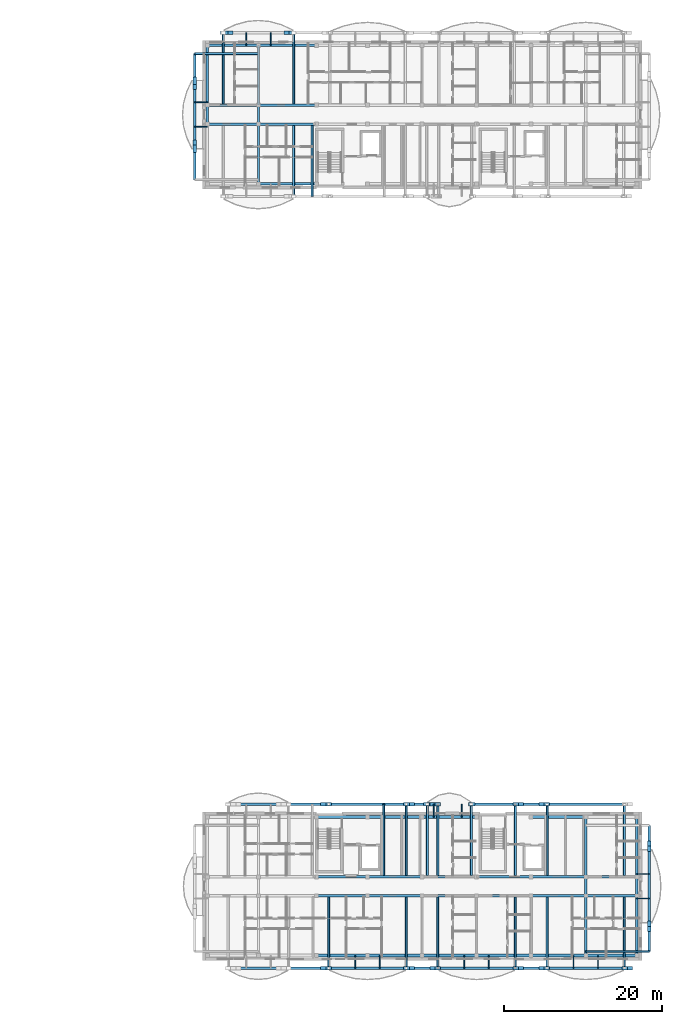
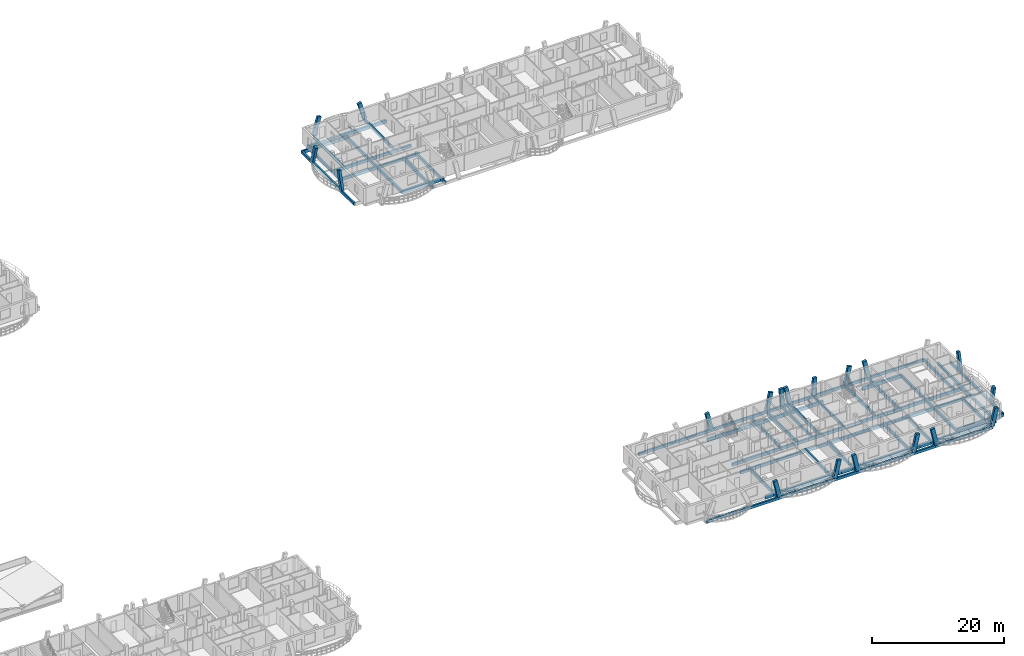
# One storey, part 7 of 50: 78 beams, 19 members.
"""IFC4 building model written with IfcOpenShell, lengths in metres."""

from ifc_helpers import new_model, si_unit, direction, frame, origin, origin_2d, place, context, subcontext, project, spatial, rectangle, i_section, extrude, material, material_profile, profile_set, type_object, element, save


model = new_model("IFC4")

# Units and contexts
model_context = context("Model", 3, precision=1e-05, world=origin(), true_north=direction((0.0, 1.0)))
body_context = subcontext(model_context, "Body", "Model", "MODEL_VIEW")
ifc_project = project(units=[si_unit("LENGTHUNIT", "METRE"), si_unit("AREAUNIT", "SQUARE_METRE"), si_unit("VOLUMEUNIT", "CUBIC_METRE"), si_unit("PLANEANGLEUNIT", "RADIAN"), si_unit("MASSUNIT", "GRAM", prefix="KILO")], contexts=[model_context])

# Site, building, storey
site_placement = place(None, origin())
site = spatial("IfcSite", under=ifc_project, at=site_placement, CompositionType="ELEMENT")
building_placement = place(site_placement, origin())
building = spatial("IfcBuilding", under=site, at=building_placement, Name="Zavelmont Quarter", CompositionType="ELEMENT")
storey_placement = place(building_placement, frame((0.0, 0.0, 11.199951171875)))
storey = spatial("IfcBuildingStorey", under=building, at=storey_placement, Name="L03", CompositionType="ELEMENT", Elevation=11.199951171875)

# Beams
ifc_material_1 = material(Name="Concrete C35/45", Category="concrete")
ifc_material_profile_1 = material_profile(ifc_material_1, rectangle(XDim=0.35009765625, YDim=0.60009765625, at=origin_2d()), Name="RC350X600")
ifc_profile_set_1 = profile_set([ifc_material_profile_1], Name="Concrete C35/45")
beam_type_1 = type_object("IfcBeamType", Name="BM01", PredefinedType="SPANDREL", material=ifc_profile_set_1)
beam_1_placement = place(storey_placement, frame((119.699951171875, 98.0400390625, -0.56005859375), z_axis=(1.0, 0.0, 0.0), x_axis=(0.0, 1.0, 0.0)))
element("IfcBeam", 1, at=beam_1_placement, inside=storey, type_object=beam_type_1, Name="L03 beam BM01 18/P to 19/P", PredefinedType="SPANDREL", context=body_context, shape_type="SweptSolid", body=[
    extrude(rectangle(XDim=0.35009765625, YDim=0.60009765625, at=origin_2d()), origin(), (0.0, 0.0, 1.0), 7.340087890625),
])
beam_2_placement = place(storey_placement, frame((113.239990234375, 115.56005859375, -0.56005859375), z_axis=(1.0, 0.0, 0.0), x_axis=(0.0, 1.0, 0.0)))
element("IfcBeam", 2, at=beam_2_placement, inside=storey, type_object=beam_type_1, Name="L03 beam BM01 17/S to 18/S", PredefinedType="SPANDREL", context=body_context, shape_type="SweptSolid", body=[
    extrude(rectangle(XDim=0.35009765625, YDim=0.60009765625, at=origin_2d()), origin(), (0.0, 0.0, 1.0), 6.4599609375),
])
beam_3_placement = place(storey_placement, frame((119.699951171875, 115.56005859375, -0.56005859375), z_axis=(1.0, 0.0, 0.0), x_axis=(0.0, 1.0, 0.0)))
element("IfcBeam", 3, at=beam_3_placement, inside=storey, type_object=beam_type_1, Name="L03 beam BM01 18/S to 19/S", PredefinedType="SPANDREL", context=body_context, shape_type="SweptSolid", body=[
    extrude(rectangle(XDim=0.35009765625, YDim=0.60009765625, at=origin_2d()), origin(), (0.0, 0.0, 1.0), 7.340087890625),
])
beam_4_placement = place(storey_placement, frame((127.0400390625, 0.43994140625, -0.56005859375), z_axis=(1.0, 0.0, 0.0), x_axis=(0.0, 1.0, 0.0)))
element("IfcBeam", 4, at=beam_4_placement, inside=storey, type_object=beam_type_1, Name="L03 beam BM01 19/A to 20/A", PredefinedType="SPANDREL", context=body_context, shape_type="SweptSolid", body=[
    extrude(rectangle(XDim=0.35009765625, YDim=0.60009765625, at=origin_2d()), origin(), (0.0, 0.0, 1.0), 6.4599609375),
])
beam_5_placement = place(storey_placement, frame((133.5, 0.43994140625, -0.56005859375), z_axis=(1.0, 0.0, 0.0), x_axis=(0.0, 1.0, 0.0)))
element("IfcBeam", 5, at=beam_5_placement, inside=storey, type_object=beam_type_1, Name="L03 beam BM01 20/A to 21/A", PredefinedType="SPANDREL", context=body_context, shape_type="SweptSolid", body=[
    extrude(rectangle(XDim=0.35009765625, YDim=0.60009765625, at=origin_2d()), origin(), (0.0, 0.0, 1.0), 6.89990234375),
])
beam_6_placement = place(storey_placement, frame((140.39990234375, 0.43994140625, -0.56005859375), z_axis=(1.0, 0.0, 0.0), x_axis=(0.0, 1.0, 0.0)))
element("IfcBeam", 6, at=beam_6_placement, inside=storey, type_object=beam_type_1, Name="L03 beam BM01 21/A to 22/A", PredefinedType="SPANDREL", context=body_context, shape_type="SweptSolid", body=[
    extrude(rectangle(XDim=0.35009765625, YDim=0.60009765625, at=origin_2d()), origin(), (0.0, 0.0, 1.0), 6.900146484375),
])
beam_7_placement = place(storey_placement, frame((147.300048828125, 0.43994140625, -0.56005859375), z_axis=(1.0, 0.0, 0.0), x_axis=(0.0, 1.0, 0.0)))
element("IfcBeam", 7, at=beam_7_placement, inside=storey, type_object=beam_type_1, Name="L03 beam BM01 22/A to 23/A", PredefinedType="SPANDREL", context=body_context, shape_type="SweptSolid", body=[
    extrude(rectangle(XDim=0.35009765625, YDim=0.60009765625, at=origin_2d()), origin(), (0.0, 0.0, 1.0), 6.89990234375),
])
beam_8_placement = place(storey_placement, frame((154.199951171875, 0.43994140625, -0.56005859375), z_axis=(1.0, 0.0, 0.0), x_axis=(0.0, 1.0, 0.0)))
element("IfcBeam", 8, at=beam_8_placement, inside=storey, type_object=beam_type_1, Name="L03 beam BM01 23/A to 24/A", PredefinedType="SPANDREL", context=body_context, shape_type="SweptSolid", body=[
    extrude(rectangle(XDim=0.35009765625, YDim=0.60009765625, at=origin_2d()), origin(), (0.0, 0.0, 1.0), 6.900146484375),
])
for number, where, z_axis, x_axis, name in (
    (9, (161.10009765625, 0.43994140625, -0.56005859375), (1.0, 0.0, 0.0), (0.0, 1.0, 0.0), "L03 beam BM01 24/A to 25/A"),
    (10, (127.0400390625, 17.9599609375, -0.56005859375), (1.0, 0.0, 0.0), (0.0, 1.0, 0.0), "L03 beam BM01 19/D to 20/D"),
):
    element("IfcBeam", number, at=place(storey_placement, frame(where, z_axis=z_axis, x_axis=x_axis)), inside=storey, type_object=beam_type_1, Name=name, PredefinedType="SPANDREL", context=body_context, shape_type="SweptSolid", body=[
        extrude(rectangle(XDim=0.35009765625, YDim=0.60009765625, at=origin_2d()), origin(), (0.0, 0.0, 1.0), 6.4599609375),
    ])
beam_9_placement = place(storey_placement, frame((133.5, 17.9599609375, -0.56005859375), z_axis=(1.0, 0.0, 0.0), x_axis=(0.0, 1.0, 0.0)))
element("IfcBeam", 11, at=beam_9_placement, inside=storey, type_object=beam_type_1, Name="L03 beam BM01 20/D to 21/D", PredefinedType="SPANDREL", context=body_context, shape_type="SweptSolid", body=[
    extrude(rectangle(XDim=0.35009765625, YDim=0.60009765625, at=origin_2d()), origin(), (0.0, 0.0, 1.0), 6.89990234375),
])
for number, where, z_axis, x_axis, name in (
    (12, (140.39990234375, 17.9599609375, -0.56005859375), (1.0, 0.0, 0.0), (0.0, 1.0, 0.0), "L03 beam BM01 21/D to 22/D"),
    (13, (154.199951171875, 17.9599609375, -0.56005859375), (1.0, 0.0, 0.0), (0.0, 1.0, 0.0), "L03 beam BM01 23/D to 24/D"),
):
    element("IfcBeam", number, at=place(storey_placement, frame(where, z_axis=z_axis, x_axis=x_axis)), inside=storey, type_object=beam_type_1, Name=name, PredefinedType="SPANDREL", context=body_context, shape_type="SweptSolid", body=[
        extrude(rectangle(XDim=0.35009765625, YDim=0.60009765625, at=origin_2d()), origin(), (0.0, 0.0, 1.0), 6.900146484375),
    ])
ifc_material_profile_2 = material_profile(ifc_material_1, rectangle(XDim=0.300048828125, YDim=0.550048828125, at=origin_2d()), Name="RC300X550")
ifc_profile_set_2 = profile_set([ifc_material_profile_2], Name="Concrete C35/45")
beam_type_2 = type_object("IfcBeamType", Name="BM02", PredefinedType="SPANDREL", material=ifc_profile_set_2)
beam_10_placement = place(storey_placement, frame((113.239990234375, 105.60009765625, -0.534912109375), z_axis=(1.0, 0.0, 0.0), x_axis=(0.0, 1.0, 0.0)))
element("IfcBeam", 14, at=beam_10_placement, inside=storey, type_object=beam_type_2, Name="L03 beam BM02 17/Q to 18/Q", PredefinedType="SPANDREL", context=body_context, shape_type="SweptSolid", body=[
    extrude(rectangle(XDim=0.300048828125, YDim=0.550048828125, at=origin_2d()), origin(), (0.0, 0.0, 1.0), 6.4599609375),
])
beam_11_placement = place(storey_placement, frame((119.699951171875, 105.60009765625, -0.534912109375), z_axis=(1.0, 0.0, 0.0), x_axis=(0.0, 1.0, 0.0)))
element("IfcBeam", 15, at=beam_11_placement, inside=storey, type_object=beam_type_2, Name="L03 beam BM02 18/Q to 19/Q", PredefinedType="SPANDREL", context=body_context, shape_type="SweptSolid", body=[
    extrude(rectangle(XDim=0.300048828125, YDim=0.550048828125, at=origin_2d()), origin(), (0.0, 0.0, 1.0), 7.340087890625),
])
beam_12_placement = place(storey_placement, frame((113.239990234375, 108.0, -0.534912109375), z_axis=(1.0, 0.0, 0.0), x_axis=(0.0, 1.0, 0.0)))
element("IfcBeam", 16, at=beam_12_placement, inside=storey, type_object=beam_type_2, Name="L03 beam BM02 17/R to 18/R", PredefinedType="SPANDREL", context=body_context, shape_type="SweptSolid", body=[
    extrude(rectangle(XDim=0.300048828125, YDim=0.550048828125, at=origin_2d()), origin(), (0.0, 0.0, 1.0), 6.4599609375),
])
beam_13_placement = place(storey_placement, frame((119.699951171875, 108.0, -0.534912109375), z_axis=(1.0, 0.0, 0.0), x_axis=(0.0, 1.0, 0.0)))
element("IfcBeam", 17, at=beam_13_placement, inside=storey, type_object=beam_type_2, Name="L03 beam BM02 18/R to 19/R", PredefinedType="SPANDREL", context=body_context, shape_type="SweptSolid", body=[
    extrude(rectangle(XDim=0.300048828125, YDim=0.550048828125, at=origin_2d()), origin(), (0.0, 0.0, 1.0), 7.340087890625),
])
beam_14_placement = place(storey_placement, frame((113.239990234375, 105.60009765625, -0.534912109375), z_axis=(0.0, 1.0, 0.0), x_axis=(-1.0, 0.0, 0.0)))
element("IfcBeam", 18, at=beam_14_placement, inside=storey, type_object=beam_type_2, Name="L03 beam BM02 17/Q to 17/R", PredefinedType="SPANDREL", context=body_context, shape_type="SweptSolid", body=[
    extrude(rectangle(XDim=0.300048828125, YDim=0.550048828125, at=origin_2d()), origin(), (0.0, 0.0, 1.0), 2.39990234375),
])
for number, where, z_axis, x_axis, name in (
    (19, (113.239990234375, 108.0, -0.534912109375), (0.0, 1.0, 0.0), (-1.0, 0.0, 0.0), "L03 beam BM02 17/R to 17/S"),
    (20, (119.699951171875, 98.0400390625, -0.534912109375), (0.0, 1.0, 0.0), (-1.0, 0.0, 0.0), "L03 beam BM02 18/P to 18/Q"),
):
    element("IfcBeam", number, at=place(storey_placement, frame(where, z_axis=z_axis, x_axis=x_axis)), inside=storey, type_object=beam_type_2, Name=name, PredefinedType="SPANDREL", context=body_context, shape_type="SweptSolid", body=[
        extrude(rectangle(XDim=0.300048828125, YDim=0.550048828125, at=origin_2d()), origin(), (0.0, 0.0, 1.0), 7.56005859375),
    ])
beam_15_placement = place(storey_placement, frame((119.699951171875, 105.60009765625, -0.534912109375), z_axis=(0.0, 1.0, 0.0), x_axis=(-1.0, 0.0, 0.0)))
element("IfcBeam", 21, at=beam_15_placement, inside=storey, type_object=beam_type_2, Name="L03 beam BM02 18/Q to 18/R", PredefinedType="SPANDREL", context=body_context, shape_type="SweptSolid", body=[
    extrude(rectangle(XDim=0.300048828125, YDim=0.550048828125, at=origin_2d()), origin(), (0.0, 0.0, 1.0), 2.39990234375),
])
beam_16_placement = place(storey_placement, frame((119.699951171875, 108.0, -0.534912109375), z_axis=(0.0, 1.0, 0.0), x_axis=(-1.0, 0.0, 0.0)))
element("IfcBeam", 22, at=beam_16_placement, inside=storey, type_object=beam_type_2, Name="L03 beam BM02 18/R to 18/S", PredefinedType="SPANDREL", context=body_context, shape_type="SweptSolid", body=[
    extrude(rectangle(XDim=0.300048828125, YDim=0.550048828125, at=origin_2d()), origin(), (0.0, 0.0, 1.0), 7.56005859375),
])
beam_17_placement = place(storey_placement, frame((127.0400390625, 8.0, -0.534912109375), z_axis=(1.0, 0.0, 0.0), x_axis=(0.0, 1.0, 0.0)))
element("IfcBeam", 23, at=beam_17_placement, inside=storey, type_object=beam_type_2, Name="L03 beam BM02 19/B to 20/B", PredefinedType="SPANDREL", context=body_context, shape_type="SweptSolid", body=[
    extrude(rectangle(XDim=0.300048828125, YDim=0.550048828125, at=origin_2d()), origin(), (0.0, 0.0, 1.0), 6.4599609375),
])
beam_18_placement = place(storey_placement, frame((133.5, 8.0, -0.534912109375), z_axis=(1.0, 0.0, 0.0), x_axis=(0.0, 1.0, 0.0)))
element("IfcBeam", 24, at=beam_18_placement, inside=storey, type_object=beam_type_2, Name="L03 beam BM02 20/B to 21/B", PredefinedType="SPANDREL", context=body_context, shape_type="SweptSolid", body=[
    extrude(rectangle(XDim=0.300048828125, YDim=0.550048828125, at=origin_2d()), origin(), (0.0, 0.0, 1.0), 6.89990234375),
])
beam_19_placement = place(storey_placement, frame((140.39990234375, 8.0, -0.534912109375), z_axis=(1.0, 0.0, 0.0), x_axis=(0.0, 1.0, 0.0)))
element("IfcBeam", 25, at=beam_19_placement, inside=storey, type_object=beam_type_2, Name="L03 beam BM02 21/B to 22/B", PredefinedType="SPANDREL", context=body_context, shape_type="SweptSolid", body=[
    extrude(rectangle(XDim=0.300048828125, YDim=0.550048828125, at=origin_2d()), origin(), (0.0, 0.0, 1.0), 6.900146484375),
])
beam_20_placement = place(storey_placement, frame((147.300048828125, 8.0, -0.534912109375), z_axis=(1.0, 0.0, 0.0), x_axis=(0.0, 1.0, 0.0)))
element("IfcBeam", 26, at=beam_20_placement, inside=storey, type_object=beam_type_2, Name="L03 beam BM02 22/B to 23/B", PredefinedType="SPANDREL", context=body_context, shape_type="SweptSolid", body=[
    extrude(rectangle(XDim=0.300048828125, YDim=0.550048828125, at=origin_2d()), origin(), (0.0, 0.0, 1.0), 6.89990234375),
])
beam_21_placement = place(storey_placement, frame((154.199951171875, 8.0, -0.534912109375), z_axis=(1.0, 0.0, 0.0), x_axis=(0.0, 1.0, 0.0)))
element("IfcBeam", 27, at=beam_21_placement, inside=storey, type_object=beam_type_2, Name="L03 beam BM02 23/B to 24/B", PredefinedType="SPANDREL", context=body_context, shape_type="SweptSolid", body=[
    extrude(rectangle(XDim=0.300048828125, YDim=0.550048828125, at=origin_2d()), origin(), (0.0, 0.0, 1.0), 6.900146484375),
])
for number, where, z_axis, x_axis, name in (
    (28, (161.10009765625, 8.0, -0.534912109375), (1.0, 0.0, 0.0), (0.0, 1.0, 0.0), "L03 beam BM02 24/B to 25/B"),
    (29, (127.0400390625, 10.39990234375, -0.534912109375), (1.0, 0.0, 0.0), (0.0, 1.0, 0.0), "L03 beam BM02 19/C to 20/C"),
):
    element("IfcBeam", number, at=place(storey_placement, frame(where, z_axis=z_axis, x_axis=x_axis)), inside=storey, type_object=beam_type_2, Name=name, PredefinedType="SPANDREL", context=body_context, shape_type="SweptSolid", body=[
        extrude(rectangle(XDim=0.300048828125, YDim=0.550048828125, at=origin_2d()), origin(), (0.0, 0.0, 1.0), 6.4599609375),
    ])
beam_22_placement = place(storey_placement, frame((133.5, 10.39990234375, -0.534912109375), z_axis=(1.0, 0.0, 0.0), x_axis=(0.0, 1.0, 0.0)))
element("IfcBeam", 30, at=beam_22_placement, inside=storey, type_object=beam_type_2, Name="L03 beam BM02 20/C to 21/C", PredefinedType="SPANDREL", context=body_context, shape_type="SweptSolid", body=[
    extrude(rectangle(XDim=0.300048828125, YDim=0.550048828125, at=origin_2d()), origin(), (0.0, 0.0, 1.0), 6.89990234375),
])
beam_23_placement = place(storey_placement, frame((140.39990234375, 10.39990234375, -0.534912109375), z_axis=(1.0, 0.0, 0.0), x_axis=(0.0, 1.0, 0.0)))
element("IfcBeam", 31, at=beam_23_placement, inside=storey, type_object=beam_type_2, Name="L03 beam BM02 21/C to 22/C", PredefinedType="SPANDREL", context=body_context, shape_type="SweptSolid", body=[
    extrude(rectangle(XDim=0.300048828125, YDim=0.550048828125, at=origin_2d()), origin(), (0.0, 0.0, 1.0), 6.900146484375),
])
beam_24_placement = place(storey_placement, frame((147.300048828125, 10.39990234375, -0.534912109375), z_axis=(1.0, 0.0, 0.0), x_axis=(0.0, 1.0, 0.0)))
element("IfcBeam", 32, at=beam_24_placement, inside=storey, type_object=beam_type_2, Name="L03 beam BM02 22/C to 23/C", PredefinedType="SPANDREL", context=body_context, shape_type="SweptSolid", body=[
    extrude(rectangle(XDim=0.300048828125, YDim=0.550048828125, at=origin_2d()), origin(), (0.0, 0.0, 1.0), 6.89990234375),
])
beam_25_placement = place(storey_placement, frame((154.199951171875, 10.39990234375, -0.534912109375), z_axis=(1.0, 0.0, 0.0), x_axis=(0.0, 1.0, 0.0)))
element("IfcBeam", 33, at=beam_25_placement, inside=storey, type_object=beam_type_2, Name="L03 beam BM02 23/C to 24/C", PredefinedType="SPANDREL", context=body_context, shape_type="SweptSolid", body=[
    extrude(rectangle(XDim=0.300048828125, YDim=0.550048828125, at=origin_2d()), origin(), (0.0, 0.0, 1.0), 6.900146484375),
])
beam_26_placement = place(storey_placement, frame((161.10009765625, 10.39990234375, -0.534912109375), z_axis=(1.0, 0.0, 0.0), x_axis=(0.0, 1.0, 0.0)))
element("IfcBeam", 34, at=beam_26_placement, inside=storey, type_object=beam_type_2, Name="L03 beam BM02 24/C to 25/C", PredefinedType="SPANDREL", context=body_context, shape_type="SweptSolid", body=[
    extrude(rectangle(XDim=0.300048828125, YDim=0.550048828125, at=origin_2d()), origin(), (0.0, 0.0, 1.0), 6.4599609375),
])
beam_27_placement = place(storey_placement, frame((161.10009765625, 0.43994140625, -0.534912109375), z_axis=(0.0, 1.0, 0.0), x_axis=(-1.0, 0.0, 0.0)))
element("IfcBeam", 35, at=beam_27_placement, inside=storey, type_object=beam_type_2, Name="L03 beam BM02 24/A to 24/B", PredefinedType="SPANDREL", context=body_context, shape_type="SweptSolid", body=[
    extrude(rectangle(XDim=0.300048828125, YDim=0.550048828125, at=origin_2d()), origin(), (0.0, 0.0, 1.0), 7.56005859375),
])
beam_28_placement = place(storey_placement, frame((161.10009765625, 8.0, -0.534912109375), z_axis=(0.0, 1.0, 0.0), x_axis=(-1.0, 0.0, 0.0)))
element("IfcBeam", 36, at=beam_28_placement, inside=storey, type_object=beam_type_2, Name="L03 beam BM02 24/B to 24/C", PredefinedType="SPANDREL", context=body_context, shape_type="SweptSolid", body=[
    extrude(rectangle(XDim=0.300048828125, YDim=0.550048828125, at=origin_2d()), origin(), (0.0, 0.0, 1.0), 2.39990234375),
])
for number, where, z_axis, x_axis, name in (
    (37, (161.10009765625, 10.39990234375, -0.534912109375), (0.0, 1.0, 0.0), (-1.0, 0.0, 0.0), "L03 beam BM02 24/C to 24/D"),
    (38, (167.56005859375, 0.43994140625, -0.534912109375), (0.0, 1.0, 0.0), (-1.0, 0.0, 0.0), "L03 beam BM02 25/A to 25/B"),
):
    element("IfcBeam", number, at=place(storey_placement, frame(where, z_axis=z_axis, x_axis=x_axis)), inside=storey, type_object=beam_type_2, Name=name, PredefinedType="SPANDREL", context=body_context, shape_type="SweptSolid", body=[
        extrude(rectangle(XDim=0.300048828125, YDim=0.550048828125, at=origin_2d()), origin(), (0.0, 0.0, 1.0), 7.56005859375),
    ])
beam_29_placement = place(storey_placement, frame((167.56005859375, 8.0, -0.534912109375), z_axis=(0.0, 1.0, 0.0), x_axis=(-1.0, 0.0, 0.0)))
element("IfcBeam", 39, at=beam_29_placement, inside=storey, type_object=beam_type_2, Name="L03 beam BM02 25/B to 25/C", PredefinedType="SPANDREL", context=body_context, shape_type="SweptSolid", body=[
    extrude(rectangle(XDim=0.300048828125, YDim=0.550048828125, at=origin_2d()), origin(), (0.0, 0.0, 1.0), 2.39990234375),
])
beam_30_placement = place(storey_placement, frame((167.56005859375, 10.39990234375, -0.534912109375), z_axis=(0.0, 1.0, 0.0), x_axis=(-1.0, 0.0, 0.0)))
element("IfcBeam", 40, at=beam_30_placement, inside=storey, type_object=beam_type_2, Name="L03 beam BM02 25/C to 25/D", PredefinedType="SPANDREL", context=body_context, shape_type="SweptSolid", body=[
    extrude(rectangle(XDim=0.300048828125, YDim=0.550048828125, at=origin_2d()), origin(), (0.0, 0.0, 1.0), 7.56005859375),
])
ifc_material_profile_3 = material_profile(ifc_material_1, rectangle(XDim=0.300048828125, YDim=0.5, at=origin_2d()), Name="RC300X500")
ifc_profile_set_3 = profile_set([ifc_material_profile_3], Name="Concrete C35/45")
beam_type_3 = type_object("IfcBeamType", Name="BM03", PredefinedType="BEAM", material=ifc_profile_set_3)
beam_31_placement = place(storey_placement, frame((111.64990234375, 98.550048828125, -0.25), z_axis=(0.0, 1.0, 0.0), x_axis=(-1.0, 0.0, 0.0)))
element("IfcBeam", 41, at=beam_31_placement, inside=storey, type_object=beam_type_3, Name="L03 beam BM03 17/P to 17/S", PredefinedType="BEAM", context=body_context, shape_type="SweptSolid", body=[
    extrude(rectangle(XDim=0.300048828125, YDim=0.5, at=origin_2d()), origin(), (0.0, 0.0, 1.0), 15.949951171875),
])
for number, where, z_axis, x_axis, name in (
    (42, (115.864013671875, -1.14990234375, -0.25), (1.0, 0.0, 0.0), (0.0, 1.0, 0.0), "L03 beam BM03 17/A to 25/A"),
    (43, (115.864013671875, 19.550048828125, -0.25), (1.0, 0.0, 0.0), (0.0, 1.0, 0.0), "L03 beam BM03 17/D to 25/D"),
):
    element("IfcBeam", number, at=place(storey_placement, frame(where, z_axis=z_axis, x_axis=x_axis)), inside=storey, type_object=beam_type_3, Name=name, PredefinedType="BEAM", context=body_context, shape_type="SweptSolid", body=[
        extrude(rectangle(XDim=0.300048828125, YDim=0.5, at=origin_2d()), origin(), (0.0, 0.0, 1.0), 50.1279296875),
    ])
beam_32_placement = place(storey_placement, frame((169.14990234375, 0.949951171875, -0.25), z_axis=(0.0, 1.0, 0.0), x_axis=(-1.0, 0.0, 0.0)))
element("IfcBeam", 44, at=beam_32_placement, inside=storey, type_object=beam_type_3, Name="L03 beam BM03 25/A to 25/D", PredefinedType="BEAM", context=body_context, shape_type="SweptSolid", body=[
    extrude(rectangle(XDim=0.300048828125, YDim=0.5, at=origin_2d()), origin(), (0.0, 0.0, 1.0), 15.949951171875),
])
ifc_material_2 = material(Name="Steel S355", Category="steel")
ifc_material_profile_4 = material_profile(ifc_material_2, i_section(OverallWidth=0.110107421875, OverallDepth=0.219970703125, WebThickness=0.005859375, FlangeThickness=0.00927734375, at=origin_2d()), Name="IPE 220")
ifc_profile_set_4 = profile_set([ifc_material_profile_4], Name="Steel S355")
beam_type_4 = type_object("IfcBeamType", Name="BM15", PredefinedType="JOIST", material=ifc_profile_set_4)
for number, where, z_axis, x_axis, name in (
    (45, (118.14990234375, 115.56005859375, -0.3720703125), (0.0, 1.0, 0.0), (-1.0, 0.0, 0.0), "L03 beam BM15 18/S to 18/S"),
    (46, (121.25, 115.56005859375, -0.3720703125), (0.0, 1.0, 0.0), (-1.0, 0.0, 0.0), "L03 beam BM15 18/S to 18/S"),
):
    element("IfcBeam", number, at=place(storey_placement, frame(where, z_axis=z_axis, x_axis=x_axis)), inside=storey, type_object=beam_type_4, Name=name, PredefinedType="JOIST", context=body_context, shape_type="SweptSolid", body=[
        extrude(i_section(OverallWidth=0.110107421875, OverallDepth=0.219970703125, WebThickness=0.005859375, FlangeThickness=0.00927734375, at=origin_2d()), origin(), (0.0, 0.0, 1.0), 1.58984375),
    ])
for number, where, z_axis, x_axis, name in (
    (47, (113.239990234375, 105.25, -0.3720703125), (-1.0, 0.0, 0.0), (0.0, -1.0, 0.0), "L03 beam BM15 17/Q to 17/Q"),
    (48, (113.239990234375, 108.35009765625, -0.3720703125), (-1.0, 0.0, 0.0), (0.0, -1.0, 0.0), "L03 beam BM15 17/R to 17/R"),
):
    element("IfcBeam", number, at=place(storey_placement, frame(where, z_axis=z_axis, x_axis=x_axis)), inside=storey, type_object=beam_type_4, Name=name, PredefinedType="JOIST", context=body_context, shape_type="SweptSolid", body=[
        extrude(i_section(OverallWidth=0.110107421875, OverallDepth=0.219970703125, WebThickness=0.005859375, FlangeThickness=0.00927734375, at=origin_2d()), origin(), (0.0, 0.0, 1.0), 1.590087890625),
    ])
for number, where, z_axis, x_axis, name in (
    (49, (131.949951171875, 0.43994140625, -0.3720703125), (0.0, -1.0, 0.0), (1.0, 0.0, 0.0), "L03 beam BM15 20/A to 20/A"),
    (50, (135.050048828125, 0.43994140625, -0.3720703125), (0.0, -1.0, 0.0), (1.0, 0.0, 0.0), "L03 beam BM15 20/A to 20/A"),
    (51, (145.75, 0.43994140625, -0.3720703125), (0.0, -1.0, 0.0), (1.0, 0.0, 0.0), "L03 beam BM15 22/A to 22/A"),
    (52, (148.85009765625, 0.43994140625, -0.3720703125), (0.0, -1.0, 0.0), (1.0, 0.0, 0.0), "L03 beam BM15 22/A to 22/A"),
    (53, (159.550048828125, 0.43994140625, -0.3720703125), (0.0, -1.0, 0.0), (1.0, 0.0, 0.0), "L03 beam BM15 24/A to 24/A"),
    (54, (162.64990234375, 0.43994140625, -0.3720703125), (0.0, -1.0, 0.0), (1.0, 0.0, 0.0), "L03 beam BM15 24/A to 24/A"),
    (55, (167.56005859375, 7.64990234375, -0.3720703125), (1.0, 0.0, 0.0), (0.0, 1.0, 0.0), "L03 beam BM15 25/B to 25/B"),
    (56, (167.56005859375, 10.75, -0.3720703125), (1.0, 0.0, 0.0), (0.0, 1.0, 0.0), "L03 beam BM15 25/C to 25/C"),
):
    element("IfcBeam", number, at=place(storey_placement, frame(where, z_axis=z_axis, x_axis=x_axis)), inside=storey, type_object=beam_type_4, Name=name, PredefinedType="JOIST", context=body_context, shape_type="SweptSolid", body=[
        extrude(i_section(OverallWidth=0.110107421875, OverallDepth=0.219970703125, WebThickness=0.005859375, FlangeThickness=0.00927734375, at=origin_2d()), origin(), (0.0, 0.0, 1.0), 1.58984375),
    ])
for number, where, z_axis, x_axis, name in (
    (57, (141.8798828125, 17.9599609375, -0.3720703125), (0.0, 1.0, 0.0), (-1.0, 0.0, 0.0), "L03 beam BM15 21/D to 21/D"),
    (58, (145.39990234375, 17.9599609375, -0.3720703125), (0.0, 1.0, 0.0), (-1.0, 0.0, 0.0), "L03 beam BM15 22/D to 22/D"),
):
    element("IfcBeam", number, at=place(storey_placement, frame(where, z_axis=z_axis, x_axis=x_axis)), inside=storey, type_object=beam_type_4, Name=name, PredefinedType="JOIST", context=body_context, shape_type="SweptSolid", body=[
        extrude(i_section(OverallWidth=0.110107421875, OverallDepth=0.219970703125, WebThickness=0.005859375, FlangeThickness=0.00927734375, at=origin_2d()), origin(), (0.0, 0.0, 1.0), 1.590087890625),
    ])
ifc_material_3 = material(Name="Concrete C40/50", Category="concrete")
ifc_material_profile_5 = material_profile(ifc_material_3, rectangle(XDim=0.25, YDim=0.60009765625, at=origin_2d()), Name="RC250X600")
ifc_profile_set_5 = profile_set([ifc_material_profile_5], Name="Concrete C40/50")
beam_type_5 = type_object("IfcBeamType", Name="BM18", PredefinedType="BEAM", material=ifc_profile_set_5)
for number, where, z_axis, x_axis, name in (
    (59, (115.2470703125, 108.0, -0.300048828125), (0.0, 1.0, 0.0), (-1.0, 0.0, 0.0), "L03 beam BM18 17/R to 17/S"),
    (60, (124.15283203125, 108.0, -0.300048828125), (0.0, 1.0, 0.0), (-1.0, 0.0, 0.0), "L03 beam BM18 19/R to 19/S"),
):
    element("IfcBeam", number, at=place(storey_placement, frame(where, z_axis=z_axis, x_axis=x_axis)), inside=storey, type_object=beam_type_5, Name=name, PredefinedType="BEAM", context=body_context, shape_type="SweptSolid", body=[
        extrude(rectangle(XDim=0.25, YDim=0.60009765625, at=origin_2d()), origin(), (0.0, 0.0, 1.0), 9.14990234375),
    ])
for number, where, z_axis, x_axis, name in (
    (61, (124.15283203125, 105.60009765625, -0.300048828125), (0.0, -1.0, 0.0), (1.0, 0.0, 0.0), "L03 beam BM18 19/Q to 19/P"),
    (62, (126.5, 105.60009765625, -0.300048828125), (0.0, -1.0, 0.0), (1.0, 0.0, 0.0), "L03 beam BM18 19/Q to 19/P"),
):
    element("IfcBeam", number, at=place(storey_placement, frame(where, z_axis=z_axis, x_axis=x_axis)), inside=storey, type_object=beam_type_5, Name=name, PredefinedType="BEAM", context=body_context, shape_type="SweptSolid", body=[
        extrude(rectangle(XDim=0.25, YDim=0.60009765625, at=origin_2d()), origin(), (0.0, 0.0, 1.0), 9.150146484375),
    ])
beam_33_placement = place(storey_placement, frame((119.699951171875, 114.5, -0.300048828125), z_axis=(-1.0, 0.0, 0.0), x_axis=(0.0, -1.0, 0.0)))
element("IfcBeam", 63, at=beam_33_placement, inside=storey, type_object=beam_type_5, Name="L03 beam BM18 18/S to 17/S", PredefinedType="BEAM", context=body_context, shape_type="SweptSolid", body=[
    extrude(rectangle(XDim=0.25, YDim=0.60009765625, at=origin_2d()), origin(), (0.0, 0.0, 1.0), 8.050048828125),
])
for number, where, z_axis, x_axis, name in (
    (64, (128.607666015625, 8.0, -0.300048828125), (0.0, -1.0, 0.0), (1.0, 0.0, 0.0), "L03 beam BM18 19/B to 19/A"),
    (65, (138.392333984375, 8.0, -0.300048828125), (0.0, -1.0, 0.0), (1.0, 0.0, 0.0), "L03 beam BM18 21/B to 21/A"),
    (66, (142.40771484375, 8.0, -0.300048828125), (0.0, -1.0, 0.0), (1.0, 0.0, 0.0), "L03 beam BM18 21/B to 21/A"),
    (67, (152.1923828125, 8.0, -0.300048828125), (0.0, -1.0, 0.0), (1.0, 0.0, 0.0), "L03 beam BM18 23/B to 23/A"),
    (68, (156.207763671875, 8.0, -0.300048828125), (0.0, -1.0, 0.0), (1.0, 0.0, 0.0), "L03 beam BM18 23/B to 23/A"),
    (69, (165.9921875, 8.0, -0.300048828125), (0.0, -1.0, 0.0), (1.0, 0.0, 0.0), "L03 beam BM18 25/B to 25/A"),
):
    element("IfcBeam", number, at=place(storey_placement, frame(where, z_axis=z_axis, x_axis=x_axis)), inside=storey, type_object=beam_type_5, Name=name, PredefinedType="BEAM", context=body_context, shape_type="SweptSolid", body=[
        extrude(rectangle(XDim=0.25, YDim=0.60009765625, at=origin_2d()), origin(), (0.0, 0.0, 1.0), 9.14990234375),
    ])
for number, where, z_axis, x_axis, name in (
    (70, (135.52490234375, 10.39990234375, -0.300048828125), (0.0, 1.0, 0.0), (-1.0, 0.0, 0.0), "L03 beam BM18 20/C to 20/D"),
    (71, (138.392333984375, 10.39990234375, -0.300048828125), (0.0, 1.0, 0.0), (-1.0, 0.0, 0.0), "L03 beam BM18 21/C to 21/D"),
    (72, (142.40771484375, 10.39990234375, -0.300048828125), (0.0, 1.0, 0.0), (-1.0, 0.0, 0.0), "L03 beam BM18 21/C to 21/D"),
    (73, (152.1923828125, 10.39990234375, -0.300048828125), (0.0, 1.0, 0.0), (-1.0, 0.0, 0.0), "L03 beam BM18 23/C to 23/D"),
    (74, (156.207763671875, 10.39990234375, -0.300048828125), (0.0, 1.0, 0.0), (-1.0, 0.0, 0.0), "L03 beam BM18 23/C to 23/D"),
    (75, (165.9921875, 10.39990234375, -0.300048828125), (0.0, 1.0, 0.0), (-1.0, 0.0, 0.0), "L03 beam BM18 25/C to 25/D"),
    (76, (141.0791015625, 10.39990234375, -0.300048828125), (0.0, 1.0, 0.0), (-1.0, 0.0, 0.0), "L03 beam BM18 21/C to 21/D"),
    (77, (146.620849609375, 10.39990234375, -0.300048828125), (0.0, 1.0, 0.0), (-1.0, 0.0, 0.0), "L03 beam BM18 22/C to 22/D"),
):
    element("IfcBeam", number, at=place(storey_placement, frame(where, z_axis=z_axis, x_axis=x_axis)), inside=storey, type_object=beam_type_5, Name=name, PredefinedType="BEAM", context=body_context, shape_type="SweptSolid", body=[
        extrude(rectangle(XDim=0.25, YDim=0.60009765625, at=origin_2d()), origin(), (0.0, 0.0, 1.0), 9.150146484375),
    ])
beam_34_placement = place(storey_placement, frame((161.10009765625, 0.949951171875, -0.300048828125), z_axis=(1.0, 0.0, 0.0), x_axis=(0.0, 1.0, 0.0)))
element("IfcBeam", 78, at=beam_34_placement, inside=storey, type_object=beam_type_5, Name="L03 beam BM18 24/A to 25/A", PredefinedType="BEAM", context=body_context, shape_type="SweptSolid", body=[
    extrude(rectangle(XDim=0.25, YDim=0.60009765625, at=origin_2d()), origin(), (0.0, 0.0, 1.0), 8.0498046875),
])

# Members
ifc_material_4 = material(Name="White architectural precast concrete C40/50", Category="concrete")
ifc_material_profile_6 = material_profile(ifc_material_4, rectangle(XDim=0.43994140625, YDim=0.659912109375, at=origin_2d()), Name="PCR320X480")
ifc_profile_set_6 = profile_set([ifc_material_profile_6], Name="White architectural precast concrete C40/50")
member_type = type_object("IfcMemberType", Name="VR01M", PredefinedType="CHORD", material=ifc_profile_set_6)
for number, where, z_axis, x_axis, name in (
    (79, (115.2470703125, 117.14990234375, 0.0), (0.279738402336, 0.0, 0.960076260647), (0.0, 1.0, 0.0), "L03 member VR01M 17/S to 17/S"),
    (80, (124.15283203125, 117.14990234375, 0.0), (-0.279670883143, 0.0, 0.960095931208), (0.0, -1.0, 0.0), "L03 member VR01M 19/S to 19/S"),
    (81, (111.64990234375, 102.34716796875, 0.0), (0.0, 0.279670883143, 0.960095931208), (-1.0, 0.0, 0.0), "L03 member VR01M 17/Q to 17/Q"),
    (82, (111.64990234375, 111.2529296875, 0.0), (0.0, -0.279738402336, 0.960076260647), (1.0, 0.0, 0.0), "L03 member VR01M 17/R to 17/R"),
):
    element("IfcMember", number, at=place(storey_placement, frame(where, z_axis=z_axis, x_axis=x_axis)), inside=storey, type_object=member_type, Name=name, PredefinedType="CHORD", context=body_context, shape_type="SweptSolid", body=[
        extrude(rectangle(XDim=0.43994140625, YDim=0.659912109375, at=origin_2d()), origin(), (0.0, 0.0, 1.0), 3.3330078125),
    ])
for number, where, z_axis, x_axis, name in (
    (83, (128.607666015625, -1.14990234375, 0.0), (-0.218514671667, 0.0, 0.975833663216), (0.0, -1.0, 0.0), "L03 member VR01M 19/A to 19/A"),
    (84, (138.392333984375, -1.14990234375, 0.0), (0.218514671667, 0.0, 0.975833663216), (0.0, 1.0, 0.0), "L03 member VR01M 21/A to 21/A"),
    (85, (142.40771484375, -1.14990234375, 0.0), (-0.218585566321, 0.0, 0.975817785345), (0.0, -1.0, 0.0), "L03 member VR01M 21/A to 21/A"),
    (86, (152.1923828125, -1.14990234375, 0.0), (0.218514671667, 0.0, 0.975833663216), (0.0, 1.0, 0.0), "L03 member VR01M 23/A to 23/A"),
    (87, (156.207763671875, -1.14990234375, 0.0), (-0.218585566321, 0.0, 0.975817785345), (0.0, -1.0, 0.0), "L03 member VR01M 23/A to 23/A"),
    (88, (165.9921875, -1.14990234375, 0.0), (0.218585566321, 0.0, 0.975817785345), (0.0, 1.0, 0.0), "L03 member VR01M 25/A to 25/A"),
    (89, (128.607666015625, 19.550048828125, 0.0), (-0.218514671667, 0.0, 0.975833663216), (0.0, -1.0, 0.0), "L03 member VR01M 19/D to 19/D"),
    (90, (138.392333984375, 19.550048828125, 0.0), (0.218514671667, 0.0, 0.975833663216), (0.0, 1.0, 0.0), "L03 member VR01M 21/D to 21/D"),
    (91, (142.40771484375, 19.550048828125, 0.0), (-0.218585566321, 0.0, 0.975817785345), (0.0, -1.0, 0.0), "L03 member VR01M 21/D to 21/D"),
    (92, (152.1923828125, 19.550048828125, 0.0), (0.218514671667, 0.0, 0.975833663216), (0.0, 1.0, 0.0), "L03 member VR01M 23/D to 23/D"),
    (93, (156.207763671875, 19.550048828125, 0.0), (-0.218585566321, 0.0, 0.975817785345), (0.0, -1.0, 0.0), "L03 member VR01M 23/D to 23/D"),
):
    element("IfcMember", number, at=place(storey_placement, frame(where, z_axis=z_axis, x_axis=x_axis)), inside=storey, type_object=member_type, Name=name, PredefinedType="CHORD", context=body_context, shape_type="SweptSolid", body=[
        extrude(rectangle(XDim=0.43994140625, YDim=0.659912109375, at=origin_2d()), origin(), (0.0, 0.0, 1.0), 3.279296875),
    ])
for number, where, z_axis, x_axis, name in (
    (94, (141.0791015625, 19.550048828125, 0.0), (-0.052342888591, 0.0, 0.998629171421), (0.0, -1.0, 0.0), "L03 member VR01M 21/D to 21/D"),
    (95, (146.620849609375, 19.550048828125, 0.0), (0.052418869913, 0.0, 0.998625185982), (0.0, 1.0, 0.0), "L03 member VR01M 22/D to 22/D"),
):
    element("IfcMember", number, at=place(storey_placement, frame(where, z_axis=z_axis, x_axis=x_axis)), inside=storey, type_object=member_type, Name=name, PredefinedType="CHORD", context=body_context, shape_type="SweptSolid", body=[
        extrude(rectangle(XDim=0.43994140625, YDim=0.659912109375, at=origin_2d()), origin(), (0.0, 0.0, 1.0), 3.204345703125),
    ])
for number, where, z_axis, x_axis, name in (
    (96, (169.14990234375, 4.461181640625, 0.0), (0.0, -0.207413306381, 0.978253402926), (1.0, 0.0, 0.0), "L03 member VR01M 25/B to 25/A"),
    (97, (169.14990234375, 13.938720703125, 0.0), (0.0, 0.207413306381, 0.978253402926), (-1.0, 0.0, 0.0), "L03 member VR01M 25/C to 25/D"),
):
    element("IfcMember", number, at=place(storey_placement, frame(where, z_axis=z_axis, x_axis=x_axis)), inside=storey, type_object=member_type, Name=name, PredefinedType="CHORD", context=body_context, shape_type="SweptSolid", body=[
        extrude(rectangle(XDim=0.43994140625, YDim=0.659912109375, at=origin_2d()), origin(), (0.0, 0.0, 1.0), 3.27099609375),
    ])

save(model, "model.ifc")
